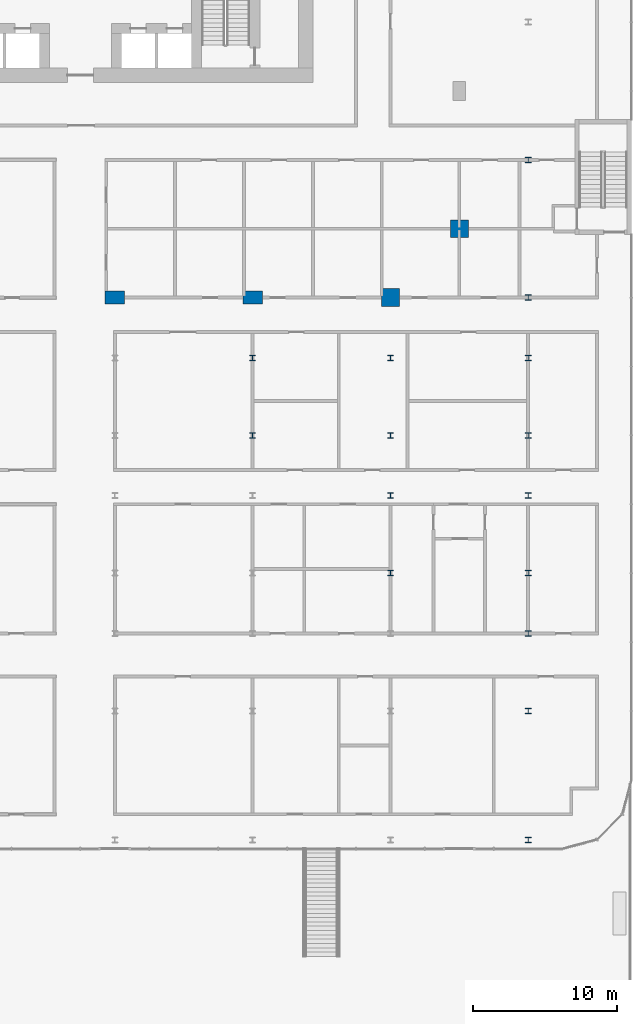
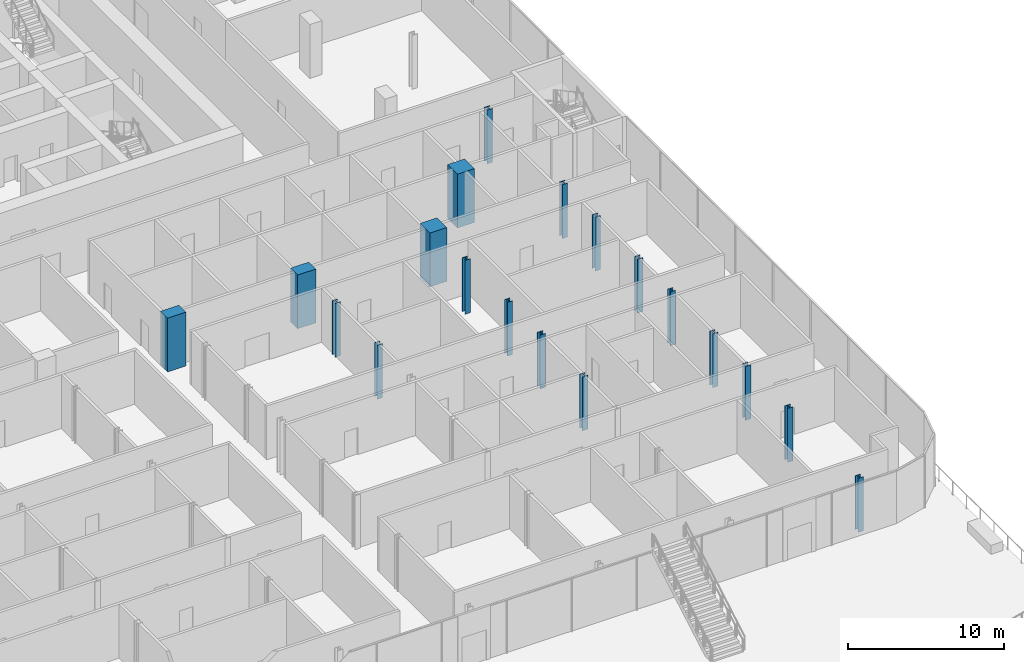
# One storey, part 3 of 45: 19 columns.
"""IFC4 building model written with IfcOpenShell, lengths in metres."""

from ifc_helpers import new_model, si_unit, direction, frame, origin, origin_2d, place, context, subcontext, project, spatial, rectangle, i_section, extrude, material, material_profile, profile_set, type_object, element, save


model = new_model("IFC4")

# Units and contexts
model_context = context("Model", 3, precision=1e-05, world=origin(), true_north=direction((0.0, 1.0)))
body_context = subcontext(model_context, "Body", "Model", "MODEL_VIEW")
ifc_project = project(units=[si_unit("LENGTHUNIT", "METRE"), si_unit("AREAUNIT", "SQUARE_METRE"), si_unit("VOLUMEUNIT", "CUBIC_METRE"), si_unit("PLANEANGLEUNIT", "RADIAN"), si_unit("MASSUNIT", "GRAM", prefix="KILO")], contexts=[model_context])

# Site, building, storey
site_placement = place(None, origin())
site = spatial("IfcSite", under=ifc_project, at=site_placement, CompositionType="ELEMENT")
building_placement = place(site_placement, origin())
building = spatial("IfcBuilding", under=site, at=building_placement, Name="Madar Terraces", CompositionType="ELEMENT")
storey_placement = place(building_placement, frame((0.0, 0.0, 6.0)))
storey = spatial("IfcBuildingStorey", under=building, at=storey_placement, Name="L01", CompositionType="ELEMENT", Elevation=6.0)

# Columns
ifc_material_1 = material(Name="Concrete C80/95", Category="concrete")
ifc_material_profile_1 = material_profile(ifc_material_1, rectangle(XDim=1.35009765625, YDim=0.89990234375, at=origin_2d()), Name="CC1 RC 1350x900")
ifc_profile_set_1 = profile_set([ifc_material_profile_1], Name="Concrete C80/95")
column_type_1 = type_object("IfcColumnType", Name="CC1 RC 1350x900", PredefinedType="COLUMN", material=ifc_profile_set_1)
for number, where, z_axis, x_axis, name in (
    (1, (33.60009765625, 0.0, 0.0), (0.0, 0.0, 1.0), (1.0, 0.0, 0.0), "Perimeter column S4"),
    (2, (43.199951171875, 0.0, 0.0), (0.0, 0.0, 1.0), (1.0, 0.0, 0.0), "Perimeter column S5"),
):
    element("IfcColumn", number, at=place(storey_placement, frame(where, z_axis=z_axis, x_axis=x_axis)), inside=storey, type_object=column_type_1, Name=name, PredefinedType="COLUMN", context=body_context, shape_type="SweptSolid", body=[
        extrude(rectangle(XDim=1.35009765625, YDim=0.89990234375, at=origin_2d()), origin(), (0.0, 0.0, 1.0), 4.199951171875),
    ])
ifc_material_2 = material(Name="Concrete C80/95", Category="concrete")
ifc_material_profile_2 = material_profile(ifc_material_2, rectangle(XDim=1.25, YDim=1.25, at=origin_2d()), Name="KC1 RC 1250x1250")
ifc_profile_set_2 = profile_set([ifc_material_profile_2], Name="Concrete C80/95")
column_type_2 = type_object("IfcColumnType", Name="KC1 RC 1250x1250", PredefinedType="COLUMN", material=ifc_profile_set_2)
for number, where, z_axis, x_axis, name in (
    (3, (52.800048828125, 0.0, 0.0), (0.0, 0.0, 1.0), (1.0, 0.0, 0.0), "Perimeter column S6"),
    (4, (57.60009765625, 4.800048828125, 0.0), (0.0, 0.0, 1.0), (1.0, 0.0, 0.0), "Perimeter column E1"),
):
    element("IfcColumn", number, at=place(storey_placement, frame(where, z_axis=z_axis, x_axis=x_axis)), inside=storey, type_object=column_type_2, Name=name, PredefinedType="COLUMN", context=body_context, shape_type="SweptSolid", body=[
        extrude(rectangle(XDim=1.25, YDim=1.25, at=origin_2d()), origin(), (0.0, 0.0, 1.0), 4.199951171875),
    ])
ifc_material_3 = material(Name="Steel ASTM A992 Grade 50", Category="steel")
ifc_material_profile_3 = material_profile(ifc_material_3, i_section(OverallWidth=0.396240234375, OverallDepth=0.381103515625, WebThickness=0.01904296875, FlangeThickness=0.0302734375, at=origin_2d()), Name="W14x159")
ifc_profile_set_3 = profile_set([ifc_material_profile_3], Name="Steel ASTM A992 Grade 50")
column_type_3 = type_object("IfcColumnType", Name="PC2 W14x159", PredefinedType="COLUMN", material=ifc_profile_set_3)
for number, where, z_axis, x_axis, name in (
    (5, (43.199951171875, -9.60009765625, 0.0), (0.0, 0.0, 1.0), (1.0, 0.0, 0.0), "Podium column PC2"),
    (6, (43.199951171875, -4.199951171875, 0.0), (0.0, 0.0, 1.0), (1.0, 0.0, 0.0), "Podium column PC2"),
    (7, (52.800048828125, -19.199951171875, 0.0), (0.0, 0.0, 1.0), (1.0, 0.0, 0.0), "Podium column PC2"),
    (8, (52.800048828125, -13.800048828125, 0.0), (0.0, 0.0, 1.0), (1.0, 0.0, 0.0), "Podium column PC2"),
    (9, (52.800048828125, -9.60009765625, 0.0), (0.0, 0.0, 1.0), (1.0, 0.0, 0.0), "Podium column PC2"),
    (10, (52.800048828125, -4.199951171875, 0.0), (0.0, 0.0, 1.0), (1.0, 0.0, 0.0), "Podium column PC2"),
    (11, (62.39990234375, -37.800048828125, 0.0), (0.0, 0.0, 1.0), (1.0, 0.0, 0.0), "Podium column PC2"),
    (12, (62.39990234375, -28.800048828125, 0.0), (0.0, 0.0, 1.0), (1.0, 0.0, 0.0), "Podium column PC2"),
    (13, (62.39990234375, -23.39990234375, 0.0), (0.0, 0.0, 1.0), (1.0, 0.0, 0.0), "Podium column PC2"),
    (14, (62.39990234375, -19.199951171875, 0.0), (0.0, 0.0, 1.0), (1.0, 0.0, 0.0), "Podium column PC2"),
    (15, (62.39990234375, -13.800048828125, 0.0), (0.0, 0.0, 1.0), (1.0, 0.0, 0.0), "Podium column PC2"),
    (16, (62.39990234375, -9.60009765625, 0.0), (0.0, 0.0, 1.0), (1.0, 0.0, 0.0), "Podium column PC2"),
    (17, (62.39990234375, -4.199951171875, 0.0), (0.0, 0.0, 1.0), (1.0, 0.0, 0.0), "Podium column PC2"),
    (18, (62.39990234375, 0.0, 0.0), (0.0, 0.0, 1.0), (1.0, 0.0, 0.0), "Podium column PC2"),
    (19, (62.39990234375, 9.60009765625, 0.0), (0.0, 0.0, 1.0), (1.0, 0.0, 0.0), "Podium column PC2"),
):
    element("IfcColumn", number, at=place(storey_placement, frame(where, z_axis=z_axis, x_axis=x_axis)), inside=storey, type_object=column_type_3, Name=name, PredefinedType="COLUMN", context=body_context, shape_type="SweptSolid", body=[
        extrude(i_section(OverallWidth=0.396240234375, OverallDepth=0.381103515625, WebThickness=0.01904296875, FlangeThickness=0.0302734375, at=origin_2d()), origin(), (0.0, 0.0, 1.0), 4.199951171875),
    ])

save(model, "model.ifc")
